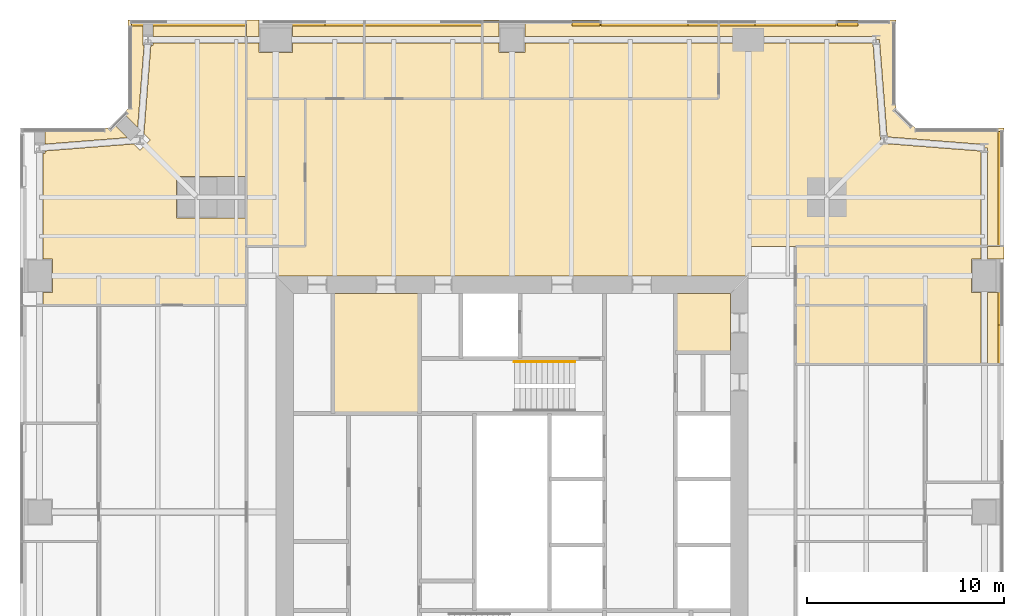
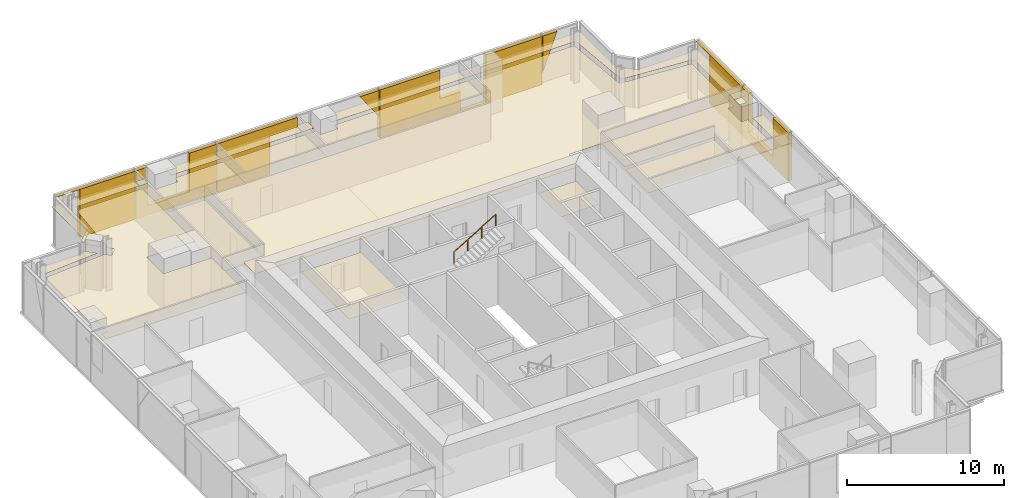
# One storey, part 14 of 14: 30 coverings, 1 railing.
"""IFC4 building model written with IfcOpenShell, lengths in metres."""

import ifcopenshell
import ifcopenshell.guid

model = None  # the IFC model being written
_history = None  # IfcOwnerHistory: only IFC2X3 demands one
_inside = {}  # id of a spatial element -> (the spatial element, [elements in it])
_under = {}  # id of a project, library or spatial element -> (it, [spatial elements below it])
_declared = {}  # id of a project -> (the project, [libraries it declares])
_typed = {}  # id of a type object -> (the type object, [elements of that type])
_made_of = {}  # id of a material, layer set ... -> (it, [elements and type objects made of it])


def new_model(schema):
    """Start an empty IFC model of exactly this schema.

    Asked for "IFC4X3", IfcOpenShell would pick the latest addendum, in which some entities
    have other attributes; the version numbers below select the first issue.
    IFC2X3 requires an IfcOwnerHistory on every rooted entity: one is made here for all.
    """
    global model, _history
    if schema == "IFC4X3":
        model = ifcopenshell.file(schema_version=(4, 3, 0, 0))
    else:
        model = ifcopenshell.file(schema=schema)
    _inside.clear()
    _under.clear()
    _declared.clear()
    _typed.clear()
    _made_of.clear()
    _history = None
    if model.schema == "IFC2X3":
        org = make("IfcOrganization", Name="unknown")
        user = make(
            "IfcPersonAndOrganization",
            ThePerson=make("IfcPerson", FamilyName="unknown"),
            TheOrganization=org,
        )
        app = make(
            "IfcApplication",
            ApplicationDeveloper=org,
            Version="unknown",
            ApplicationFullName="unknown",
            ApplicationIdentifier="unknown",
        )
        _history = make(
            "IfcOwnerHistory",
            OwningUser=user,
            OwningApplication=app,
            ChangeAction="ADDED",
            CreationDate=0,
        )
    return model


def make(cls, **values):
    """One entity of the class cls with the attributes given. An attribute that is None is left unset."""
    return model.create_entity(
        cls, **{name: value for name, value in values.items() if value is not None}
    )


def rooted(cls, **values):
    """An entity with a GlobalId (a new one), such as an element, a storey or a relation."""
    return make(cls, GlobalId=ifcopenshell.guid.new(), OwnerHistory=_history, **values)


def si_unit(unit_type, name, prefix=None):
    """IfcSIUnit, for example si_unit("LENGTHUNIT", "METRE", prefix="MILLI")."""
    return make("IfcSIUnit", UnitType=unit_type, Prefix=prefix, Name=name)


def assignment(units):
    """IfcUnitAssignment: the units of a project."""
    return None if units is None else make("IfcUnitAssignment", Units=units)


def point(xyz):
    """IfcCartesianPoint."""
    return None if xyz is None else make("IfcCartesianPoint", Coordinates=xyz)


def direction(xyz):
    """IfcDirection."""
    return None if xyz is None else make("IfcDirection", DirectionRatios=xyz)


def frame(location, z_axis=None, x_axis=None):
    """IfcAxis2Placement3D, a coordinate frame: its origin and axes. An axis left out is left unset."""
    return make(
        "IfcAxis2Placement3D",
        Location=point(location),
        Axis=direction(z_axis),
        RefDirection=direction(x_axis),
    )


def frame_2d(location, x_axis=None):
    """IfcAxis2Placement2D, a coordinate frame in the plane: its origin and x axis."""
    return make(
        "IfcAxis2Placement2D", Location=point(location), RefDirection=direction(x_axis)
    )


def origin():
    """The frame at (0, 0, 0) with its axes left unset."""
    return frame((0.0, 0.0, 0.0))


def origin_2d():
    """The frame at (0, 0) in the plane with its x axis left unset."""
    return frame_2d((0.0, 0.0))


def place(relative_to, where):
    """IfcLocalPlacement: puts the frame where relative to a parent placement (None: the world)."""
    return make(
        "IfcLocalPlacement", PlacementRelTo=relative_to, RelativePlacement=where
    )


def context(
    kind, dimensions, precision=None, world=None, true_north=None, identifier=None
):
    """IfcGeometricRepresentationContext, for example the 3D "Model" context."""
    return make(
        "IfcGeometricRepresentationContext",
        ContextIdentifier=identifier,
        ContextType=kind,
        CoordinateSpaceDimension=dimensions,
        Precision=precision,
        WorldCoordinateSystem=world,
        TrueNorth=true_north,
    )


def subcontext(parent, identifier, kind, view, scale=None):
    """IfcGeometricRepresentationSubContext, for example "Body" below "Model"."""
    return make(
        "IfcGeometricRepresentationSubContext",
        ContextIdentifier=identifier,
        ContextType=kind,
        ParentContext=parent,
        TargetScale=scale,
        TargetView=view,
    )


def project(units=None, contexts=None):
    """IfcProject with its units and contexts."""
    return rooted(
        "IfcProject",
        Name="project",
        RepresentationContexts=contexts,
        UnitsInContext=assignment(units),
    )


def spatial(cls, under=None, at=None, **own):
    """A site, building, storey or space (cls), placed at a placement, below another one or the project."""
    s = rooted(cls, ObjectPlacement=at, **own)
    if under is not None:
        _under.setdefault(under.id(), (under, []))[1].append(s)
    return s


def polyline(points):
    """IfcPolyline through the points."""
    return make("IfcPolyline", Points=[point(p) for p in points])


def profile(cls, at=None, kind="AREA", **sizes):
    """A parametric profile (cls). Its sizes go by their IFC names, for example OverallWidth=200.0."""
    return make(cls, ProfileType=kind, Position=at, **sizes)


def circle(**sizes):
    """IfcCircleProfileDef."""
    return profile("IfcCircleProfileDef", **sizes)


def outline(outer, holes=None, kind="AREA"):
    """IfcArbitraryClosedProfileDef: a profile drawn as a closed curve; with holes, ...WithVoids."""
    if holes is None:
        return make("IfcArbitraryClosedProfileDef", ProfileType=kind, OuterCurve=outer)
    return make(
        "IfcArbitraryProfileDefWithVoids",
        ProfileType=kind,
        OuterCurve=outer,
        InnerCurves=holes,
    )


def extrude(swept, where, along, depth):
    """IfcExtrudedAreaSolid: the profile swept, set in the frame where, extruded along a direction by depth."""
    return make(
        "IfcExtrudedAreaSolid",
        SweptArea=swept,
        Position=where,
        ExtrudedDirection=direction(along),
        Depth=depth,
    )


def shape(context_of_items, identifier, shape_type, items):
    """IfcShapeRepresentation: the items that make up one representation, for example the "Body"."""
    return make(
        "IfcShapeRepresentation",
        ContextOfItems=context_of_items,
        RepresentationIdentifier=identifier,
        RepresentationType=shape_type,
        Items=items,
    )


def material(Name=None, Category=None):
    """IfcMaterial."""
    return make("IfcMaterial", Name=Name, Category=Category)


def layer(
    of_material, thickness, ventilated=None, Name=None, Category=None, Priority=None
):
    """IfcMaterialLayer: one layer of a wall or slab, of a material (None: an air gap)."""
    return make(
        "IfcMaterialLayer",
        Material=of_material,
        LayerThickness=thickness,
        IsVentilated=ventilated,
        Name=Name,
        Category=Category,
        Priority=Priority,
    )


def layer_set(layers, Name=None):
    """IfcMaterialLayerSet."""
    return make("IfcMaterialLayerSet", MaterialLayers=layers, LayerSetName=Name)


def made_of(thing, what):
    """Note that an element or type object is made of a material, layer set ...; save() writes the relation."""
    if what is not None:
        _made_of.setdefault(what.id(), (what, []))[1].append(thing)
    return thing


def type_object(cls, material=None, **own):
    """A type object (cls), such as IfcWallType, which elements share."""
    return made_of(rooted(cls, **own), material)


def element(
    cls,
    number,
    at=None,
    inside=None,
    cuts=None,
    type_object=None,
    material=None,
    context=None,
    identifier="Body",
    shape_type=None,
    held_by="IfcProductDefinitionShape",
    body=None,
    shapes=None,
    **own,
):
    """One element of the class cls, such as IfcWall. Its Tag is "e" and its number.

    at: its placement. inside: the storey or other place that contains it. cuts: it is an
    opening in that element (IfcRelVoidsElement). A single representation is given by context,
    identifier, shape_type and body (its items); several are given by shapes. held_by: the class
    of the entity that holds the representations. save() writes the other relations.
    """
    e = rooted(cls, Tag="e%d" % number, ObjectPlacement=at, **own)
    if body is not None:
        shapes = [shape(context, identifier, shape_type, body)]
    if shapes is not None:
        e.Representation = make(held_by, Representations=shapes)
    if inside is not None:
        _inside.setdefault(inside.id(), (inside, []))[1].append(e)
    if cuts is not None:
        rooted(
            "IfcRelVoidsElement", RelatingBuildingElement=cuts, RelatedOpeningElement=e
        )
    if type_object is not None:
        _typed.setdefault(type_object.id(), (type_object, []))[1].append(e)
    return made_of(e, material)


def aggregate(whole, parts):
    """IfcRelAggregates: a whole, such as a stair, and the parts it consists of."""
    return rooted("IfcRelAggregates", RelatingObject=whole, RelatedObjects=parts)


def save(model, path):
    """Write the relations noted so far, then the file.

    IfcRelAggregates (storeys below a building ...), IfcRelContainedInSpatialStructure (elements
    in a storey), IfcRelDefinesByType, IfcRelAssociatesMaterial and IfcRelDeclares: one each for
    every whole, place, type object, material and project.
    """
    for whole, parts in _under.values():
        aggregate(whole, parts)
    for where, things in _inside.values():
        rooted(
            "IfcRelContainedInSpatialStructure",
            RelatedElements=things,
            RelatingStructure=where,
        )
    for kind, things in _typed.values():
        rooted("IfcRelDefinesByType", RelatedObjects=things, RelatingType=kind)
    for what, things in _made_of.values():
        rooted("IfcRelAssociatesMaterial", RelatedObjects=things, RelatingMaterial=what)
    for by, libraries in _declared.values():
        rooted("IfcRelDeclares", RelatingContext=by, RelatedDefinitions=libraries)
    model.write(path)


model = new_model("IFC4")

# Units and contexts
model_context = context("Model", 3, precision=1e-05, world=origin(), true_north=direction((0.0, 1.0)))
body_context = subcontext(model_context, "Body", "Model", "MODEL_VIEW")
ifc_project = project(units=[si_unit("LENGTHUNIT", "METRE"), si_unit("AREAUNIT", "SQUARE_METRE"), si_unit("VOLUMEUNIT", "CUBIC_METRE"), si_unit("PLANEANGLEUNIT", "RADIAN"), si_unit("MASSUNIT", "GRAM", prefix="KILO")], contexts=[model_context])

# Site, building, storey
site_placement = place(None, origin())
site = spatial("IfcSite", under=ifc_project, at=site_placement, CompositionType="ELEMENT")
building_placement = place(site_placement, origin())
building = spatial("IfcBuilding", under=site, at=building_placement, Name="Fenwick Lantern Interchange", CompositionType="ELEMENT")
storey_placement = place(building_placement, frame((0.0, 0.0, 173.800048828125)))
storey = spatial("IfcBuildingStorey", under=building, at=storey_placement, Name="L40", CompositionType="ELEMENT", Elevation=173.800048828125)

# Coverings
ifc_material_1 = material(Name="Mineral fibre acoustic tile on suspended grid")
ifc_layer_1 = layer(ifc_material_1, 0.02001953125)
ifc_layer_set_1 = layer_set([ifc_layer_1], Name="ACOUSTIC TILE CEILING 20")
covering_type_1 = type_object("IfcCoveringType", Name="ACOUSTIC TILE CEILING 20", PredefinedType="CEILING", material=ifc_layer_set_1)
covering_1_placement = place(storey_placement, frame((0.0, 0.0, 2.89990234375)))
element("IfcCovering", 1, at=covering_1_placement, inside=storey, type_object=covering_type_1, Name="Meeting room ceiling", PredefinedType="CEILING", context=body_context, shape_type="SweptSolid", body=[
    extrude(outline(polyline([(48.35009765625, 37.85009765625), (48.82763671875, 37.85009765625), (48.82763671875, 38.5), (39.39990234375, 38.5), (39.39990234375, 35.5), (46.0, 35.5), (46.0, 32.5), (48.82763671875, 32.5), (48.82763671875, 36.14990234375), (48.35009765625, 36.14990234375), (48.35009765625, 37.85009765625)])), origin(), (0.0, 0.0, 1.0), 0.02001953125),
])
covering_2_placement = place(storey_placement, frame((0.0, 0.0, 2.89990234375)))
element("IfcCovering", 2, at=covering_2_placement, inside=storey, type_object=covering_type_1, Name="Meeting room ceiling", PredefinedType="CEILING", context=body_context, shape_type="SweptSolid", body=[
    extrude(outline(polyline([(50.0, 36.14990234375), (49.17236328125, 36.14990234375), (49.17236328125, 32.5), (50.0, 32.5), (50.0, 36.14990234375)])), origin(), (0.0, 0.0, 1.0), 0.02001953125),
])
covering_3_placement = place(storey_placement, frame((0.0, 0.0, 2.89990234375)))
element("IfcCovering", 3, at=covering_3_placement, inside=storey, type_object=covering_type_1, Name="Meeting room ceiling", PredefinedType="CEILING", context=body_context, shape_type="SweptSolid", body=[
    extrude(outline(polyline([(49.17236328125, 37.85009765625), (50.0, 37.85009765625), (50.0, 38.5), (49.17236328125, 38.5), (49.17236328125, 37.85009765625)])), origin(), (0.0, 0.0, 1.0), 0.02001953125),
])
covering_4_placement = place(storey_placement, frame((0.0, 0.0, 2.89990234375)))
element("IfcCovering", 4, at=covering_4_placement, inside=storey, type_object=covering_type_1, Name="Open office ceiling", PredefinedType="CEILING", context=body_context, shape_type="SweptSolid", body=[
    extrude(outline(polyline([(37.0, 38.5), (48.82763671875, 38.5), (48.82763671875, 43.340576171875), (43.886474609375, 43.72802734375), (43.89990234375, 43.89990234375), (43.72802734375, 43.886474609375), (43.340576171875, 48.82763671875), (37.0, 48.82763671875), (35.5, 48.82763671875), (35.5, 46.0), (14.5, 46.0), (14.5, 38.5), (13.0, 38.5), (13.0, 37.0), (37.0, 37.0), (37.0, 38.5)])), origin(), (0.0, 0.0, 1.0), 0.02001953125),
])
covering_5_placement = place(storey_placement, frame((0.0, 0.0, 2.89990234375)))
element("IfcCovering", 5, at=covering_5_placement, inside=storey, type_object=covering_type_1, Name="Open office ceiling", PredefinedType="CEILING", context=body_context, shape_type="SweptSolid", body=[
    extrude(outline(polyline([(49.17236328125, 38.5), (50.0, 38.5), (50.0, 44.5), (45.5, 44.5), (44.5, 45.5), (44.5, 50.0), (35.5, 50.0), (35.5, 49.17236328125), (37.0, 49.17236328125), (43.5, 49.17236328125), (43.5, 49.0), (43.671875, 49.013427734375), (44.060302734375, 44.060302734375), (49.013427734375, 43.671875), (49.0, 43.5), (49.17236328125, 43.5), (49.17236328125, 38.5)])), origin(), (0.0, 0.0, 1.0), 0.02001953125),
])
covering_6_placement = place(storey_placement, frame((0.0, 0.0, 2.89990234375)))
element("IfcCovering", 6, at=covering_6_placement, inside=storey, type_object=covering_type_1, Name="Board meeting room ceiling", PredefinedType="CEILING", context=body_context, shape_type="SweptSolid", body=[
    extrude(outline(polyline([(23.5, 46.0), (35.5, 46.0), (35.5, 48.82763671875), (25.64990234375, 48.82763671875), (25.64990234375, 48.35009765625), (24.35009765625, 48.35009765625), (24.35009765625, 48.82763671875), (23.5, 48.82763671875), (23.5, 46.0)])), origin(), (0.0, 0.0, 1.0), 0.02001953125),
])
covering_7_placement = place(storey_placement, frame((0.0, 0.0, 2.89990234375)))
element("IfcCovering", 7, at=covering_7_placement, inside=storey, type_object=covering_type_1, Name="Board meeting room ceiling", PredefinedType="CEILING", context=body_context, shape_type="SweptSolid", body=[
    extrude(outline(polyline([(25.64990234375, 50.0), (25.64990234375, 49.17236328125), (35.5, 49.17236328125), (35.5, 50.0), (25.64990234375, 50.0)])), origin(), (0.0, 0.0, 1.0), 0.02001953125),
])
covering_8_placement = place(storey_placement, frame((0.0, 0.0, 2.89990234375)))
element("IfcCovering", 8, at=covering_8_placement, inside=storey, type_object=covering_type_1, Name="Board meeting room ceiling", PredefinedType="CEILING", context=body_context, shape_type="SweptSolid", body=[
    extrude(outline(polyline([(23.5, 50.0), (23.5, 49.17236328125), (24.35009765625, 49.17236328125), (24.35009765625, 50.0), (23.5, 50.0)])), origin(), (0.0, 0.0, 1.0), 0.02001953125),
])
covering_9_placement = place(storey_placement, frame((0.0, 0.0, 2.89990234375)))
element("IfcCovering", 9, at=covering_9_placement, inside=storey, type_object=covering_type_1, Name="Office ceiling", PredefinedType="CEILING", context=body_context, shape_type="SweptSolid", body=[
    extrude(outline(polyline([(23.5, 46.0), (23.5, 48.82763671875), (17.5, 48.82763671875), (17.5, 46.0), (23.5, 46.0)])), origin(), (0.0, 0.0, 1.0), 0.02001953125),
])
covering_10_placement = place(storey_placement, frame((0.0, 0.0, 2.89990234375)))
element("IfcCovering", 10, at=covering_10_placement, inside=storey, type_object=covering_type_1, Name="Office ceiling", PredefinedType="CEILING", context=body_context, shape_type="SweptSolid", body=[
    extrude(outline(polyline([(17.5, 50.0), (17.5, 49.17236328125), (23.5, 49.17236328125), (23.5, 50.0), (17.5, 50.0)])), origin(), (0.0, 0.0, 1.0), 0.02001953125),
])
covering_11_placement = place(storey_placement, frame((0.0, 0.0, 2.89990234375)))
element("IfcCovering", 11, at=covering_11_placement, inside=storey, type_object=covering_type_1, Name="Office ceiling", PredefinedType="CEILING", context=body_context, shape_type="SweptSolid", body=[
    extrude(outline(polyline([(17.5, 46.0), (17.5, 48.82763671875), (13.85009765625, 48.82763671875), (13.85009765625, 48.35009765625), (12.14990234375, 48.35009765625), (12.14990234375, 48.82763671875), (11.5, 48.82763671875), (11.5, 46.0), (17.5, 46.0)])), origin(), (0.0, 0.0, 1.0), 0.02001953125),
])
covering_12_placement = place(storey_placement, frame((0.0, 0.0, 2.89990234375)))
element("IfcCovering", 12, at=covering_12_placement, inside=storey, type_object=covering_type_1, Name="Office ceiling", PredefinedType="CEILING", context=body_context, shape_type="SweptSolid", body=[
    extrude(outline(polyline([(17.5, 49.17236328125), (17.5, 50.0), (13.85009765625, 50.0), (13.85009765625, 49.17236328125), (17.5, 49.17236328125)])), origin(), (0.0, 0.0, 1.0), 0.02001953125),
])
covering_13_placement = place(storey_placement, frame((0.0, 0.0, 2.89990234375)))
element("IfcCovering", 13, at=covering_13_placement, inside=storey, type_object=covering_type_1, Name="Office ceiling", PredefinedType="CEILING", context=body_context, shape_type="SweptSolid", body=[
    extrude(outline(polyline([(11.5, 50.0), (11.5, 49.17236328125), (12.14990234375, 49.17236328125), (12.14990234375, 50.0), (11.5, 50.0)])), origin(), (0.0, 0.0, 1.0), 0.02001953125),
])
covering_14_placement = place(storey_placement, frame((0.0, 0.0, 2.89990234375)))
element("IfcCovering", 14, at=covering_14_placement, inside=storey, type_object=covering_type_1, Name="Executive office ceiling", PredefinedType="CEILING", context=body_context, shape_type="SweptSolid", body=[
    extrude(outline(polyline([(6.76220703125, 48.71240234375), (6.650390625, 48.71240234375), (6.298095703125, 44.22216796875), (6.620361328125, 43.89990234375), (6.10009765625, 43.379638671875), (5.77783203125, 43.701904296875), (1.26220703125, 43.34765625), (1.26220703125, 43.21240234375), (1.17236328125, 43.21240234375), (1.17236328125, 37.85009765625), (1.64990234375, 37.85009765625), (1.64990234375, 36.14990234375), (1.17236328125, 36.14990234375), (1.17236328125, 35.5), (11.5, 35.5), (11.5, 39.949951171875), (7.949951171875, 39.949951171875), (7.949951171875, 42.050048828125), (11.5, 42.050048828125), (11.5, 48.82763671875), (6.76220703125, 48.82763671875), (6.76220703125, 48.71240234375)])), origin(), (0.0, 0.0, 1.0), 0.02001953125),
])
covering_15_placement = place(storey_placement, frame((0.0, 0.0, 2.89990234375)))
element("IfcCovering", 15, at=covering_15_placement, inside=storey, type_object=covering_type_1, Name="Executive office ceiling", PredefinedType="CEILING", context=body_context, shape_type="SweptSolid", body=[
    extrude(outline(polyline([(6.76220703125, 50.0), (6.76220703125, 49.17236328125), (11.5, 49.17236328125), (11.5, 50.0), (6.76220703125, 50.0)])), origin(), (0.0, 0.0, 1.0), 0.02001953125),
])
covering_16_placement = place(storey_placement, frame((0.0, 0.0, 2.89990234375)))
element("IfcCovering", 16, at=covering_16_placement, inside=storey, type_object=covering_type_1, Name="Executive office ceiling", PredefinedType="CEILING", context=body_context, shape_type="SweptSolid", body=[
    extrude(outline(polyline([(6.304443359375, 48.71240234375), (6.23779296875, 48.71240234375), (6.23779296875, 50.0), (5.5, 50.0), (5.5, 45.5), (5.26025390625, 45.26025390625), (5.9775390625, 44.542724609375), (6.304443359375, 48.71240234375)])), origin(), (0.0, 0.0, 1.0), 0.02001953125),
])
covering_17_placement = place(storey_placement, frame((0.0, 0.0, 2.89990234375)))
element("IfcCovering", 17, at=covering_17_placement, inside=storey, type_object=covering_type_1, Name="Executive office ceiling", PredefinedType="CEILING", context=body_context, shape_type="SweptSolid", body=[
    extrude(outline(polyline([(1.26220703125, 44.5), (1.26220703125, 43.693603515625), (5.457275390625, 44.0224609375), (4.73974609375, 44.73974609375), (4.5, 44.5), (1.26220703125, 44.5)])), origin(), (0.0, 0.0, 1.0), 0.02001953125),
])
ifc_material_2 = material(Name="Granite cladding, warm grey flamed finish, on aluminium carrier frame", Category="masonry")
ifc_layer_2 = layer(ifc_material_2, 0.300048828125)
ifc_layer_set_2 = layer_set([ifc_layer_2], Name="BRACE CASING PANEL 300")
covering_type_2 = type_object("IfcCoveringType", Name="BRACE CASING PANEL 300", PredefinedType="CLADDING", material=ifc_layer_set_2)
covering_18_placement = place(storey_placement, frame((49.89990234375, 5.60009765625, 0.0), z_axis=(0.0, 0.0, 1.0), x_axis=(0.0, 1.0, 0.0)))
element("IfcCovering", 18, at=covering_18_placement, inside=storey, type_object=covering_type_2, Name="Brace casing 05 bay 05a", PredefinedType="CLADDING", context=body_context, shape_type="SweptSolid", body=[
    extrude(outline(polyline([(26.9326171875, 0.0), (32.867431640625, 0.0), (32.867431640625, 3.75), (32.017578125, 3.75), (32.017578125, 0.732177734375), (28.8974609375, 0.732177734375), (28.8974609375, 3.75), (26.9326171875, 3.75), (26.9326171875, 0.0)])), frame((0.0, 0.2001953125, 0.0), z_axis=(0.0, -1.0, 0.0), x_axis=(1.0, 0.0, 0.0)), (0.0, 0.0, 1.0), 0.300048828125),
])
covering_19_placement = place(storey_placement, frame((49.89990234375, 5.60009765625, 0.0), z_axis=(0.0, 0.0, 1.0), x_axis=(0.0, 1.0, 0.0)))
element("IfcCovering", 19, at=covering_19_placement, inside=storey, type_object=covering_type_2, Name="Brace casing 05 bay 06a", PredefinedType="CLADDING", context=body_context, shape_type="SweptSolid", body=[
    extrude(outline(polyline([(32.9326171875, 0.0), (36.97607421875, 0.0), (36.97607421875, 3.740234375), (38.735107421875, 3.740234375), (38.735107421875, 3.75), (32.9326171875, 3.75), (32.9326171875, 0.0)])), frame((0.0, 0.2001953125, 0.0), z_axis=(0.0, -1.0, 0.0), x_axis=(1.0, 0.0, 0.0)), (0.0, 0.0, 1.0), 0.300048828125),
])
covering_20_placement = place(storey_placement, frame((44.39990234375, 49.89990234375, 0.932373046875), z_axis=(0.0, 0.0, 1.0), x_axis=(-1.0, 0.0, 0.0)))
element("IfcCovering", 20, at=covering_20_placement, inside=storey, type_object=covering_type_2, Name="Brace casing 09 bay 00a", PredefinedType="CLADDING", context=body_context, shape_type="SweptSolid", body=[
    extrude(outline(polyline([(2.867431640625, 0.0), (2.867431640625, 2.817626953125), (1.8203125, 2.817626953125), (2.867431640625, 0.0)])), frame((0.0, 0.2001953125, 0.0), z_axis=(0.0, -1.0, 0.0), x_axis=(1.0, 0.0, 0.0)), (0.0, 0.0, 1.0), 0.300048828125),
])
covering_21_placement = place(storey_placement, frame((44.39990234375, 49.89990234375, 0.0), z_axis=(0.0, 0.0, 1.0), x_axis=(-1.0, 0.0, 0.0)))
element("IfcCovering", 21, at=covering_21_placement, inside=storey, type_object=covering_type_2, Name="Brace casing 09 bay 01a", PredefinedType="CLADDING", context=body_context, shape_type="SweptSolid", body=[
    extrude(outline(polyline([(2.9326171875, 0.0), (8.867431640625, 0.0), (8.867431640625, 0.009521484375), (7.051025390625, 0.009521484375), (7.051025390625, 3.75), (2.9326171875, 3.75), (2.9326171875, 0.0)])), frame((0.0, 0.2001953125, 0.0), z_axis=(0.0, -1.0, 0.0), x_axis=(1.0, 0.0, 0.0)), (0.0, 0.0, 1.0), 0.300048828125),
])
covering_22_placement = place(storey_placement, frame((44.39990234375, 49.89990234375, 0.0), z_axis=(0.0, 0.0, 1.0), x_axis=(-1.0, 0.0, 0.0)))
element("IfcCovering", 22, at=covering_22_placement, inside=storey, type_object=covering_type_2, Name="Brace casing 09 bay 02a", PredefinedType="CLADDING", context=body_context, shape_type="SweptSolid", body=[
    extrude(outline(polyline([(8.9326171875, 0.0), (14.867431640625, 0.0), (14.867431640625, 3.75), (10.452392578125, 3.75), (10.452392578125, 1.533935546875), (8.9326171875, 1.533935546875), (8.9326171875, 0.0)])), frame((0.0, 0.2001953125, 0.0), z_axis=(0.0, -1.0, 0.0), x_axis=(1.0, 0.0, 0.0)), (0.0, 0.0, 1.0), 0.300048828125),
])
covering_23_placement = place(storey_placement, frame((44.39990234375, 49.89990234375, 1.700439453125), z_axis=(0.0, 0.0, 1.0), x_axis=(-1.0, 0.0, 0.0)))
element("IfcCovering", 23, at=covering_23_placement, inside=storey, type_object=covering_type_2, Name="Brace casing 09 bay 03a", PredefinedType="CLADDING", context=body_context, shape_type="SweptSolid", body=[
    extrude(outline(polyline([(14.9326171875, 0.0), (16.338623046875, 2.049560546875), (14.9326171875, 2.049560546875), (14.9326171875, 0.0)])), frame((0.0, 0.2001953125, 0.0), z_axis=(0.0, -1.0, 0.0), x_axis=(1.0, 0.0, 0.0)), (0.0, 0.0, 1.0), 0.300048828125),
])
covering_24_placement = place(storey_placement, frame((44.39990234375, 49.89990234375, 0.0), z_axis=(0.0, 0.0, 1.0), x_axis=(-1.0, 0.0, 0.0)))
element("IfcCovering", 24, at=covering_24_placement, inside=storey, type_object=covering_type_2, Name="Brace casing 09 bay 04a", PredefinedType="CLADDING", context=body_context, shape_type="SweptSolid", body=[
    extrude(outline(polyline([(22.982421875, 0.0), (26.867431640625, 0.0), (26.867431640625, 3.75), (20.9326171875, 3.75), (20.9326171875, 2.990478515625), (22.982421875, 2.990478515625), (22.982421875, 0.0)])), frame((0.0, 0.2001953125, 0.0), z_axis=(0.0, -1.0, 0.0), x_axis=(1.0, 0.0, 0.0)), (0.0, 0.0, 1.0), 0.300048828125),
])
covering_25_placement = place(storey_placement, frame((44.39990234375, 49.89990234375, 0.0), z_axis=(0.0, 0.0, 1.0), x_axis=(-1.0, 0.0, 0.0)))
element("IfcCovering", 25, at=covering_25_placement, inside=storey, type_object=covering_type_2, Name="Brace casing 09 bay 05a", PredefinedType="CLADDING", context=body_context, shape_type="SweptSolid", body=[
    extrude(outline(polyline([(26.9326171875, 0.0), (32.867431640625, 0.0), (32.867431640625, 3.75), (32.017578125, 3.75), (32.017578125, 0.732177734375), (28.8974609375, 0.732177734375), (28.8974609375, 3.75), (26.9326171875, 3.75), (26.9326171875, 0.0)])), frame((0.0, 0.2001953125, 0.0), z_axis=(0.0, -1.0, 0.0), x_axis=(1.0, 0.0, 0.0)), (0.0, 0.0, 1.0), 0.300048828125),
])
covering_26_placement = place(storey_placement, frame((44.39990234375, 49.89990234375, 0.0), z_axis=(0.0, 0.0, 1.0), x_axis=(-1.0, 0.0, 0.0)))
element("IfcCovering", 26, at=covering_26_placement, inside=storey, type_object=covering_type_2, Name="Brace casing 09 bay 06a", PredefinedType="CLADDING", context=body_context, shape_type="SweptSolid", body=[
    extrude(outline(polyline([(32.9326171875, 0.0), (36.97607421875, 0.0), (36.97607421875, 3.740234375), (38.735107421875, 3.740234375), (38.735107421875, 3.75), (32.9326171875, 3.75), (32.9326171875, 0.0)])), frame((0.0, 0.2001953125, 0.0), z_axis=(0.0, -1.0, 0.0), x_axis=(1.0, 0.0, 0.0)), (0.0, 0.0, 1.0), 0.300048828125),
])

# Railing
ifc_material_3 = material(Name="Stainless steel handrail", Category="steel")
railing_type = type_object("IfcRailingType", Name="HANDRAIL 900", PredefinedType="HANDRAIL", material=ifc_material_3)
railing_placement = place(storey_placement, frame((25.1201171875, 32.6259765625, 2.16650390625)))
element("IfcRailing", 27, at=railing_placement, inside=storey, type_object=railing_type, Name="L40/STAIR/ST2/HR2", PredefinedType="HANDRAIL", context=body_context, shape_type="SweptSolid", body=[
    extrude(circle(Radius=0.02392578125, at=origin_2d()), frame((0.0, 0.0, 0.8759765625), z_axis=(0.859260807169, 0.0, 0.511537745687), x_axis=(0.0, 1.0, 0.0)), (0.0, 0.0, 1.0), 3.584228515625),
    extrude(circle(Radius=0.02099609375, at=origin_2d()), origin(), (0.0, 0.0, 1.0), 0.851806640625),
    extrude(circle(Radius=0.02099609375, at=origin_2d()), frame((1.026611328125, 0.0, 0.611083984375)), (0.0, 0.0, 1.0), 0.851806640625),
    extrude(circle(Radius=0.02099609375, at=origin_2d()), frame((2.05322265625, 0.0, 1.222412109375)), (0.0, 0.0, 1.0), 0.851806640625),
    extrude(circle(Radius=0.02099609375, at=origin_2d()), frame((3.079833984375, 0.0, 1.83349609375)), (0.0, 0.0, 1.0), 0.851806640625),
])

# Coverings
ifc_material_4 = material(Name="Moisture resistant gypsum board on suspended frame, painted")
ifc_layer_3 = layer(ifc_material_4, 0.014892578125)
ifc_layer_set_3 = layer_set([ifc_layer_3], Name="MOISTURE RESISTANT CEILING 15")
covering_type_3 = type_object("IfcCoveringType", Name="MOISTURE RESISTANT CEILING 15", PredefinedType="CEILING", material=ifc_layer_set_3)
covering_27_placement = place(storey_placement, frame((0.0, 0.0, 2.599853515625)))
element("IfcCovering", 28, at=covering_27_placement, inside=storey, type_object=covering_type_3, Name="Women's WC ceiling", PredefinedType="CEILING", context=body_context, shape_type="SweptSolid", body=[
    extrude(outline(polyline([(20.300048828125, 36.10009765625), (15.89990234375, 36.10009765625), (15.89990234375, 30.0), (20.300048828125, 30.0), (20.300048828125, 36.10009765625)])), origin(), (0.0, 0.0, 1.0), 0.01513671875),
])
covering_28_placement = place(storey_placement, frame((0.0, 0.0, 2.599853515625)))
element("IfcCovering", 29, at=covering_28_placement, inside=storey, type_object=covering_type_3, Name="Accessible WC ceiling", PredefinedType="CEILING", context=body_context, shape_type="SweptSolid", body=[
    extrude(outline(polyline([(36.10009765625, 36.10009765625), (33.300048828125, 36.10009765625), (33.300048828125, 33.10009765625), (36.10009765625, 33.10009765625), (36.10009765625, 36.10009765625)])), origin(), (0.0, 0.0, 1.0), 0.01513671875),
])
covering_29_placement = place(storey_placement, frame((0.0, 0.0, 2.699951171875)))
element("IfcCovering", 30, at=covering_29_placement, inside=storey, type_object=covering_type_3, Name="Pantry ceiling", PredefinedType="CEILING", context=body_context, shape_type="SweptSolid", body=[
    extrude(outline(polyline([(46.0, 32.5), (46.0, 35.5), (39.39990234375, 35.5), (39.39990234375, 32.5), (46.0, 32.5)])), origin(), (0.0, 0.0, 1.0), 0.014892578125),
])
ifc_material_5 = material(Name="Gypsum plasterboard on suspended frame, painted")
ifc_layer_4 = layer(ifc_material_5, 0.014892578125)
ifc_layer_set_4 = layer_set([ifc_layer_4], Name="PLASTERBOARD CEILING 15")
covering_type_4 = type_object("IfcCoveringType", Name="PLASTERBOARD CEILING 15", PredefinedType="CEILING", material=ifc_layer_set_4)
covering_30_placement = place(storey_placement, frame((0.0, 0.0, 2.699951171875)))
element("IfcCovering", 31, at=covering_30_placement, inside=storey, type_object=covering_type_4, Name="Wellness room ceiling", PredefinedType="CEILING", context=body_context, shape_type="SweptSolid", body=[
    extrude(outline(polyline([(14.5, 46.0), (11.5, 46.0), (11.5, 38.5), (14.5, 38.5), (14.5, 46.0)])), origin(), (0.0, 0.0, 1.0), 0.014892578125),
])

save(model, "model.ifc")
